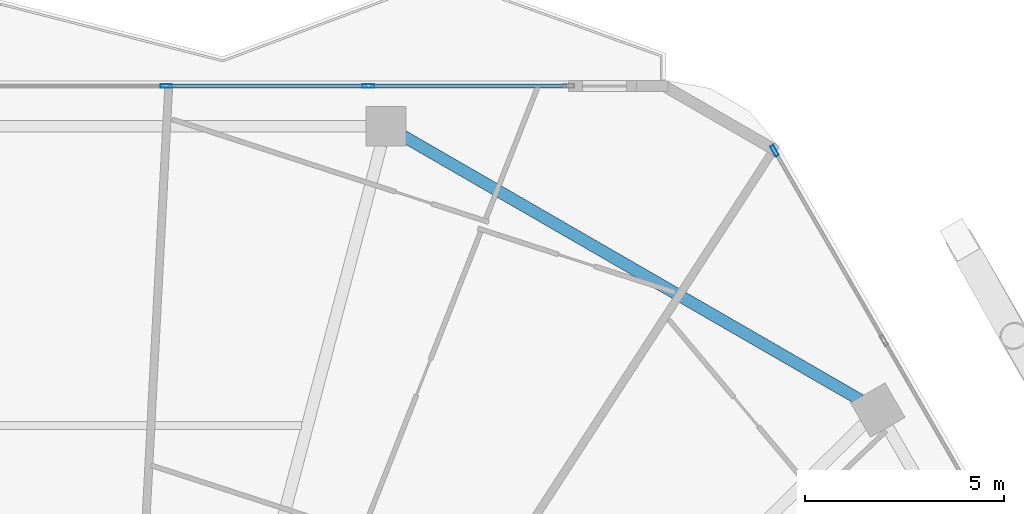
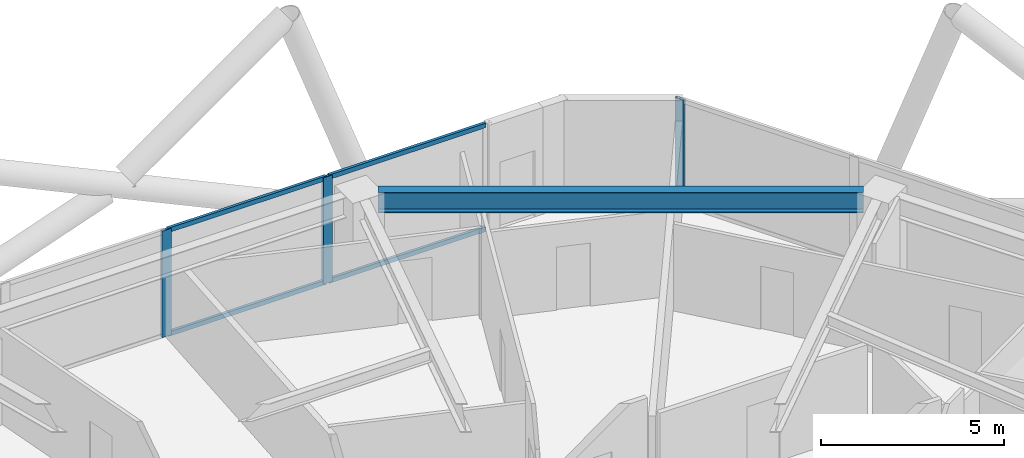
# One storey, part 17 of 29: 7 members, 1 beam, 2 elements without a shape of their own.
"""IFC4 building model written with IfcOpenShell, lengths in metres."""

from ifc_helpers import new_model, si_unit, direction, frame, origin, origin_2d, place, context, subcontext, project, spatial, hollow_rectangle, i_section, extrude, material, material_profile, profile_set, type_object, element, aggregate, save


model = new_model("IFC4")

# Units and contexts
model_context = context("Model", 3, precision=1e-05, world=origin(), true_north=direction((0.0, 1.0)))
body_context = subcontext(model_context, "Body", "Model", "MODEL_VIEW")
ifc_project = project(units=[si_unit("LENGTHUNIT", "METRE"), si_unit("AREAUNIT", "SQUARE_METRE"), si_unit("VOLUMEUNIT", "CUBIC_METRE"), si_unit("PLANEANGLEUNIT", "RADIAN"), si_unit("MASSUNIT", "GRAM", prefix="KILO")], contexts=[model_context])

# Site, building, storey
site_placement = place(None, origin())
site = spatial("IfcSite", under=ifc_project, at=site_placement, CompositionType="ELEMENT")
building_placement = place(site_placement, origin())
building = spatial("IfcBuilding", under=site, at=building_placement, Name="Zuhravey Tower", CompositionType="ELEMENT")
storey_placement = place(building_placement, frame((0.0, 0.0, 161.800048828125)))
storey = spatial("IfcBuildingStorey", under=building, at=storey_placement, Name="L40", CompositionType="ELEMENT", Elevation=161.800048828125)

# Curtain wall, members
ifc_material_1 = material(Name="Thermally broken anodised aluminium", Category="aluminium")
curtain_wall_type = type_object("IfcCurtainWallType", Name="Zone 1-2 Residential Curtain Wall CW3", PredefinedType="NOTDEFINED", material=ifc_material_1)
curtain_wall_1_placement = place(storey_placement, origin())
curtain_wall_1 = element("IfcCurtainWall", 1, at=curtain_wall_1_placement, inside=storey, type_object=curtain_wall_type, Name="L40 CW3 CW-L40-F2-1", PredefinedType="NOTDEFINED")
ifc_material_2 = material(Name="Anodised aluminium", Category="aluminium")
ifc_material_profile_1 = material_profile(ifc_material_2, hollow_rectangle(XDim=0.090087890625, YDim=0.284912109375, WallThickness=0.0048828125, at=origin_2d()), Name="ALU-RHS-90x285x5")
ifc_profile_set_1 = profile_set([ifc_material_profile_1], Name="Anodised aluminium")
member_type_1 = type_object("IfcMemberType", Name="Curtain-Wall Mullion 90x180", PredefinedType="MULLION", material=ifc_profile_set_1)
member_1_placement = place(storey_placement, frame((37.3623046875, 59.18310546875, 0.0), z_axis=(0.0, 0.0, 1.0), x_axis=(0.0, 1.0, 0.0)))
member_1 = element("IfcMember", 2, at=member_1_placement, type_object=member_type_1, Name="CW3 mullion 4", PredefinedType="MULLION", context=body_context, shape_type="SweptSolid", body=[
    extrude(hollow_rectangle(XDim=0.090087890625, YDim=0.284912109375, WallThickness=0.0048828125, at=origin_2d()), origin(), (0.0, 0.0, 1.0), 3.550048828125),
])
member_2_placement = place(storey_placement, frame((42.436767578125, 59.18310546875, 0.0), z_axis=(0.0, 0.0, 1.0), x_axis=(0.0, 1.0, 0.0)))
member_2 = element("IfcMember", 3, at=member_2_placement, type_object=member_type_1, Name="CW3 mullion 5", PredefinedType="MULLION", context=body_context, shape_type="SweptSolid", body=[
    extrude(hollow_rectangle(XDim=0.090087890625, YDim=0.284912109375, WallThickness=0.0048828125, at=origin_2d()), origin(), (0.0, 0.0, 1.0), 3.550048828125),
])

# Curtain wall, member
curtain_wall_2_placement = place(storey_placement, origin())
curtain_wall_2 = element("IfcCurtainWall", 4, at=curtain_wall_2_placement, inside=storey, type_object=curtain_wall_type, Name="L40 CW3 CW-L40-F1-1", PredefinedType="NOTDEFINED")
member_3_placement = place(storey_placement, frame((52.63330078125, 57.556640625, 0.0), z_axis=(0.0, 0.0, 1.0), x_axis=(0.866025138215, 0.500000459979, 0.0)))
member_3 = element("IfcMember", 5, at=member_3_placement, type_object=member_type_1, Name="CW3 mullion 1", PredefinedType="MULLION", context=body_context, shape_type="SweptSolid", body=[
    extrude(hollow_rectangle(XDim=0.090087890625, YDim=0.284912109375, WallThickness=0.0048828125, at=origin_2d()), origin(), (0.0, 0.0, 1.0), 3.550048828125),
])
aggregate(curtain_wall_2, [member_3])

# Member
ifc_material_profile_2 = material_profile(ifc_material_2, hollow_rectangle(XDim=0.090087890625, YDim=0.14990234375, WallThickness=0.0048828125, at=origin_2d()), Name="ALU-RHS-90x150x5")
ifc_profile_set_2 = profile_set([ifc_material_profile_2], Name="Anodised aluminium")
member_type_2 = type_object("IfcMemberType", Name="Curtain-Wall Transom 90x150", PredefinedType="USERDEFINED", material=ifc_profile_set_2)
member_4_placement = place(storey_placement, frame((37.4072265625, 59.18310546875, 0.044921875), z_axis=(1.0, 0.0, 0.0), x_axis=(0.0, 1.0, 0.0)))
member_4 = element("IfcMember", 6, at=member_4_placement, type_object=member_type_2, Name="CW3 transom 4.1", ObjectType="TRANSOM", PredefinedType="USERDEFINED", context=body_context, shape_type="SweptSolid", body=[
    extrude(hollow_rectangle(XDim=0.090087890625, YDim=0.14990234375, WallThickness=0.0048828125, at=origin_2d()), origin(), (0.0, 0.0, 1.0), 4.984375),
])

member_5_placement = place(storey_placement, frame((37.4072265625, 59.18310546875, 3.5048828125), z_axis=(1.0, 0.0, 0.0), x_axis=(0.0, 1.0, 0.0)))
member_5 = element("IfcMember", 7, at=member_5_placement, type_object=member_type_2, Name="CW3 transom 4.2", ObjectType="TRANSOM", PredefinedType="USERDEFINED", context=body_context, shape_type="SweptSolid", body=[
    extrude(hollow_rectangle(XDim=0.090087890625, YDim=0.14990234375, WallThickness=0.0048828125, at=origin_2d()), origin(), (0.0, 0.0, 1.0), 4.984375),
])

member_6_placement = place(storey_placement, frame((42.481689453125, 59.18310546875, 0.044921875), z_axis=(1.0, 0.0, 0.0), x_axis=(0.0, 1.0, 0.0)))
member_6 = element("IfcMember", 8, at=member_6_placement, type_object=member_type_2, Name="CW3 transom 5.1", ObjectType="TRANSOM", PredefinedType="USERDEFINED", context=body_context, shape_type="SweptSolid", body=[
    extrude(hollow_rectangle(XDim=0.090087890625, YDim=0.14990234375, WallThickness=0.0048828125, at=origin_2d()), origin(), (0.0, 0.0, 1.0), 4.939453125),
])

member_7_placement = place(storey_placement, frame((42.481689453125, 59.18310546875, 3.5048828125), z_axis=(1.0, 0.0, 0.0), x_axis=(0.0, 1.0, 0.0)))
member_7 = element("IfcMember", 9, at=member_7_placement, type_object=member_type_2, Name="CW3 transom 5.2", ObjectType="TRANSOM", PredefinedType="USERDEFINED", context=body_context, shape_type="SweptSolid", body=[
    extrude(hollow_rectangle(XDim=0.090087890625, YDim=0.14990234375, WallThickness=0.0048828125, at=origin_2d()), origin(), (0.0, 0.0, 1.0), 4.939453125),
])

aggregate(curtain_wall_1, [member_1, member_2, member_4, member_5, member_6, member_7])

# Beam
ifc_material_3 = material(Name="Steel SM355", Category="steel")
ifc_material_profile_3 = material_profile(ifc_material_3, i_section(OverallWidth=0.300048828125, OverallDepth=0.679931640625, WebThickness=0.012939453125, FlangeThickness=0.02197265625, at=origin_2d()), Name="H-680x300x13x22")
ifc_profile_set_3 = profile_set([ifc_material_profile_3], Name="Steel SM355")
beam_type = type_object("IfcBeamType", Name="Perimeter Ring Beam H680x300", PredefinedType="BEAM", material=ifc_profile_set_3)
beam_placement = place(storey_placement, frame((54.789794921875, 51.298095703125, 3.2099609375), z_axis=(-0.866022923061, 0.500004296715, 0.0), x_axis=(-0.500004296715, -0.866022923061, 0.0)))
element("IfcBeam", 10, at=beam_placement, inside=storey, type_object=beam_type, Name="L40 PB2 BM-L40-PB-02", PredefinedType="BEAM", context=body_context, shape_type="SweptSolid", body=[
    extrude(i_section(OverallWidth=0.300048828125, OverallDepth=0.679931640625, WebThickness=0.012939453125, FlangeThickness=0.02197265625, at=origin_2d()), origin(), (0.0, 0.0, 1.0), 13.2470703125),
])

save(model, "model.ifc")
